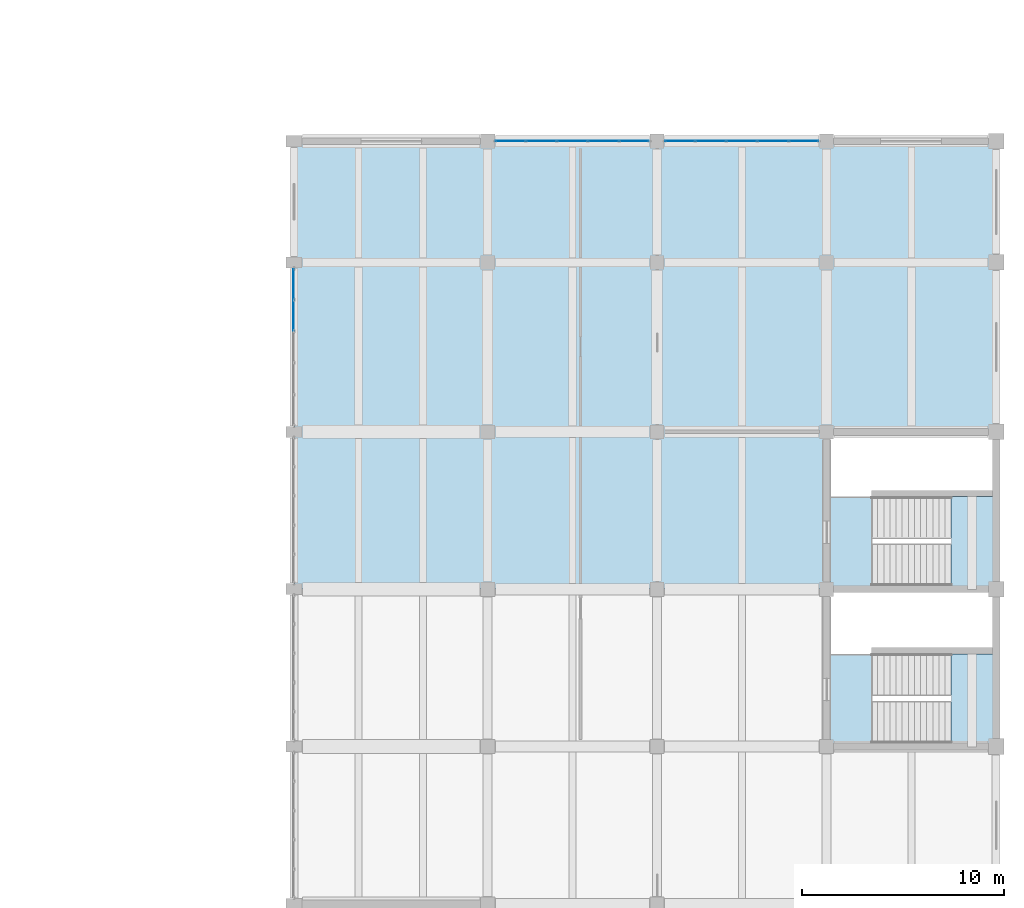
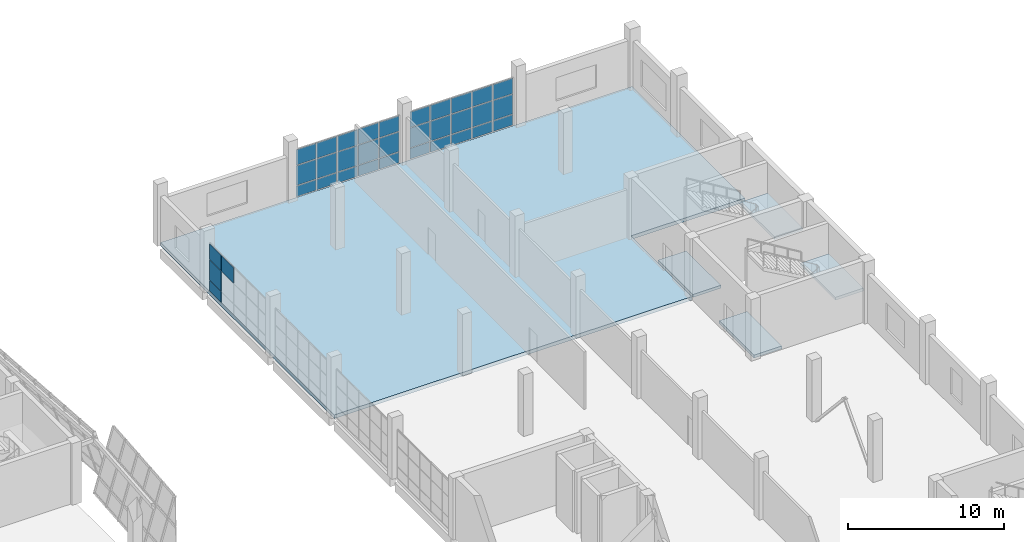
# One storey, part 74 of 91: 34 plates, 5 slabs, 5 elements without a shape of their own.
"""IFC4 building model written with IfcOpenShell, lengths in metres."""

from ifc_helpers import new_model, si_unit, direction, frame, origin, place, context, subcontext, project, spatial, polyline, outline, extrude, material, layer, layer_set, type_object, element, aggregate, save


model = new_model("IFC4")

# Units and contexts
model_context = context("Model", 3, precision=1e-05, world=origin(), true_north=direction((0.0, 1.0)))
body_context = subcontext(model_context, "Body", "Model", "MODEL_VIEW")
ifc_project = project(units=[si_unit("LENGTHUNIT", "METRE"), si_unit("AREAUNIT", "SQUARE_METRE"), si_unit("VOLUMEUNIT", "CUBIC_METRE"), si_unit("PLANEANGLEUNIT", "RADIAN"), si_unit("MASSUNIT", "GRAM", prefix="KILO")], contexts=[model_context])

# Site, building, storey
site_placement = place(None, origin())
site = spatial("IfcSite", under=ifc_project, at=site_placement, CompositionType="ELEMENT")
building_placement = place(site_placement, origin())
building = spatial("IfcBuilding", under=site, at=building_placement, Name="Pellamere Symphony Hall", CompositionType="ELEMENT")
storey_placement = place(building_placement, frame((0.0, 0.0, 5.39990234375)))
storey = spatial("IfcBuildingStorey", under=building, at=storey_placement, Name="L01", CompositionType="ELEMENT", Elevation=5.39990234375)

# Curtain wall, plates
ifc_material_1 = material(Name="Thermally Broken Anodised Aluminium 6063-T6 Curtain Wall", Category="aluminium")
curtain_wall_type = type_object("IfcCurtainWallType", Name="Curtain Wall CW-05 (Artists Wing North Studio Ribbon Curtain Wall)", PredefinedType="NOTDEFINED", material=ifc_material_1)
curtain_wall_1_placement = place(storey_placement, origin())
curtain_wall_1 = element("IfcCurtainWall", 1, at=curtain_wall_1_placement, inside=storey, type_object=curtain_wall_type, Name="Artists Wing North Studio Curtain Wall (L01 Bay 1)", PredefinedType="NOTDEFINED")
ifc_material_2 = material(Name="Triple Low-E Argon Acoustic Glazing 36mm", Category="glass")
ifc_layer_1 = layer(ifc_material_2, 0.035888671875, Name="Triple Low-E Argon Acoustic Glazing 36mm")
ifc_layer_set_1 = layer_set([ifc_layer_1], Name="Triple Low-E Argon Acoustic Glazing 36mm")
plate_type = type_object("IfcPlateType", Name="Facade Panel GL-01 36mm", PredefinedType="CURTAIN_PANEL", material=ifc_layer_set_1)
plate_1_placement = place(storey_placement, frame((148.010009765625, 99.60009765625, 0.06005859375), z_axis=(0.0, -1.0, 0.0), x_axis=(1.0, 0.0, 0.0)))
plate_1 = element("IfcPlate", 2, at=plate_1_placement, type_object=plate_type, Name="CW5-130 crystal glass panel 1.1", PredefinedType="CURTAIN_PANEL", context=body_context, shape_type="SweptSolid", body=[
    extrude(outline(polyline([(0.0, 0.0), (1.449951171875, 0.0), (1.449951171875, 0.817138671875), (0.0, 0.817138671875), (0.0, 0.0)])), origin(), (0.0, 0.0, -1.0), 0.035888671875),
])
plate_2_placement = place(storey_placement, frame((148.010009765625, 99.60009765625, 0.937255859375), z_axis=(0.0, -1.0, 0.0), x_axis=(1.0, 0.0, 0.0)))
plate_2 = element("IfcPlate", 3, at=plate_2_placement, type_object=plate_type, Name="CW5-130 crystal glass panel 1.2", PredefinedType="CURTAIN_PANEL", context=body_context, shape_type="SweptSolid", body=[
    extrude(outline(polyline([(0.0, 0.0), (1.449951171875, 0.0), (1.449951171875, 1.527587890625), (0.0, 1.527587890625), (0.0, 0.0)])), origin(), (0.0, 0.0, -1.0), 0.035888671875),
])
plate_3_placement = place(storey_placement, frame((148.010009765625, 99.60009765625, 2.52490234375), z_axis=(0.0, -1.0, 0.0), x_axis=(1.0, 0.0, 0.0)))
plate_3 = element("IfcPlate", 4, at=plate_3_placement, type_object=plate_type, Name="CW5-130 crystal glass panel 1.3", PredefinedType="CURTAIN_PANEL", context=body_context, shape_type="SweptSolid", body=[
    extrude(outline(polyline([(0.0, 0.0), (1.449951171875, 0.0), (1.449951171875, 1.1953125), (0.0, 1.1953125), (0.0, 0.0)])), origin(), (0.0, 0.0, -1.0), 0.035888671875),
])
plate_4_placement = place(storey_placement, frame((149.52001953125, 99.60009765625, 0.06005859375), z_axis=(0.0, -1.0, 0.0), x_axis=(1.0, 0.0, 0.0)))
plate_4 = element("IfcPlate", 5, at=plate_4_placement, type_object=plate_type, Name="CW5-130 crystal glass panel 2.1", PredefinedType="CURTAIN_PANEL", context=body_context, shape_type="SweptSolid", body=[
    extrude(outline(polyline([(0.0, 0.0), (1.47998046875, 0.0), (1.47998046875, 0.817138671875), (0.0, 0.817138671875), (0.0, 0.0)])), origin(), (0.0, 0.0, -1.0), 0.035888671875),
])
plate_5_placement = place(storey_placement, frame((149.52001953125, 99.60009765625, 0.937255859375), z_axis=(0.0, -1.0, 0.0), x_axis=(1.0, 0.0, 0.0)))
plate_5 = element("IfcPlate", 6, at=plate_5_placement, type_object=plate_type, Name="CW5-130 crystal glass panel 2.2", PredefinedType="CURTAIN_PANEL", context=body_context, shape_type="SweptSolid", body=[
    extrude(outline(polyline([(0.0, 0.0), (1.47998046875, 0.0), (1.47998046875, 1.527587890625), (0.0, 1.527587890625), (0.0, 0.0)])), origin(), (0.0, 0.0, -1.0), 0.035888671875),
])
plate_6_placement = place(storey_placement, frame((149.52001953125, 99.60009765625, 2.52490234375), z_axis=(0.0, -1.0, 0.0), x_axis=(1.0, 0.0, 0.0)))
plate_6 = element("IfcPlate", 7, at=plate_6_placement, type_object=plate_type, Name="CW5-130 crystal glass panel 2.3", PredefinedType="CURTAIN_PANEL", context=body_context, shape_type="SweptSolid", body=[
    extrude(outline(polyline([(0.0, 0.0), (1.47998046875, 0.0), (1.47998046875, 1.1953125), (0.0, 1.1953125), (0.0, 0.0)])), origin(), (0.0, 0.0, -1.0), 0.035888671875),
])
plate_7_placement = place(storey_placement, frame((151.06005859375, 99.60009765625, 0.06005859375), z_axis=(0.0, -1.0, 0.0), x_axis=(1.0, 0.0, 0.0)))
plate_7 = element("IfcPlate", 8, at=plate_7_placement, type_object=plate_type, Name="CW5-130 crystal glass panel 3.1", PredefinedType="CURTAIN_PANEL", context=body_context, shape_type="SweptSolid", body=[
    extrude(outline(polyline([(0.0, 0.0), (1.47998046875, 0.0), (1.47998046875, 0.817138671875), (0.0, 0.817138671875), (0.0, 0.0)])), origin(), (0.0, 0.0, -1.0), 0.035888671875),
])
plate_8_placement = place(storey_placement, frame((151.06005859375, 99.60009765625, 0.937255859375), z_axis=(0.0, -1.0, 0.0), x_axis=(1.0, 0.0, 0.0)))
plate_8 = element("IfcPlate", 9, at=plate_8_placement, type_object=plate_type, Name="CW5-130 crystal glass panel 3.2", PredefinedType="CURTAIN_PANEL", context=body_context, shape_type="SweptSolid", body=[
    extrude(outline(polyline([(0.0, 0.0), (1.47998046875, 0.0), (1.47998046875, 1.527587890625), (0.0, 1.527587890625), (0.0, 0.0)])), origin(), (0.0, 0.0, -1.0), 0.035888671875),
])
plate_9_placement = place(storey_placement, frame((151.06005859375, 99.60009765625, 2.52490234375), z_axis=(0.0, -1.0, 0.0), x_axis=(1.0, 0.0, 0.0)))
plate_9 = element("IfcPlate", 10, at=plate_9_placement, type_object=plate_type, Name="CW5-130 crystal glass panel 3.3", PredefinedType="CURTAIN_PANEL", context=body_context, shape_type="SweptSolid", body=[
    extrude(outline(polyline([(0.0, 0.0), (1.47998046875, 0.0), (1.47998046875, 1.1953125), (0.0, 1.1953125), (0.0, 0.0)])), origin(), (0.0, 0.0, -1.0), 0.035888671875),
])
plate_10_placement = place(storey_placement, frame((152.60009765625, 99.60009765625, 0.06005859375), z_axis=(0.0, -1.0, 0.0), x_axis=(1.0, 0.0, 0.0)))
plate_10 = element("IfcPlate", 11, at=plate_10_placement, type_object=plate_type, Name="CW5-130 crystal glass panel 4.1", PredefinedType="CURTAIN_PANEL", context=body_context, shape_type="SweptSolid", body=[
    extrude(outline(polyline([(0.0, 0.0), (1.47998046875, 0.0), (1.47998046875, 0.817138671875), (0.0, 0.817138671875), (0.0, 0.0)])), origin(), (0.0, 0.0, -1.0), 0.035888671875),
])
plate_11_placement = place(storey_placement, frame((152.60009765625, 99.60009765625, 0.937255859375), z_axis=(0.0, -1.0, 0.0), x_axis=(1.0, 0.0, 0.0)))
plate_11 = element("IfcPlate", 12, at=plate_11_placement, type_object=plate_type, Name="CW5-130 crystal glass panel 4.2", PredefinedType="CURTAIN_PANEL", context=body_context, shape_type="SweptSolid", body=[
    extrude(outline(polyline([(0.0, 0.0), (1.47998046875, 0.0), (1.47998046875, 1.527587890625), (0.0, 1.527587890625), (0.0, 0.0)])), origin(), (0.0, 0.0, -1.0), 0.035888671875),
])
plate_12_placement = place(storey_placement, frame((152.60009765625, 99.60009765625, 2.52490234375), z_axis=(0.0, -1.0, 0.0), x_axis=(1.0, 0.0, 0.0)))
plate_12 = element("IfcPlate", 13, at=plate_12_placement, type_object=plate_type, Name="CW5-130 crystal glass panel 4.3", PredefinedType="CURTAIN_PANEL", context=body_context, shape_type="SweptSolid", body=[
    extrude(outline(polyline([(0.0, 0.0), (1.47998046875, 0.0), (1.47998046875, 1.1953125), (0.0, 1.1953125), (0.0, 0.0)])), origin(), (0.0, 0.0, -1.0), 0.035888671875),
])
plate_13_placement = place(storey_placement, frame((154.139892578125, 99.60009765625, 0.06005859375), z_axis=(0.0, -1.0, 0.0), x_axis=(1.0, 0.0, 0.0)))
plate_13 = element("IfcPlate", 14, at=plate_13_placement, type_object=plate_type, Name="CW5-130 crystal glass panel 5.1", PredefinedType="CURTAIN_PANEL", context=body_context, shape_type="SweptSolid", body=[
    extrude(outline(polyline([(0.0, 0.0), (1.4501953125, 0.0), (1.4501953125, 0.817138671875), (0.0, 0.817138671875), (0.0, 0.0)])), origin(), (0.0, 0.0, -1.0), 0.035888671875),
])
plate_14_placement = place(storey_placement, frame((154.139892578125, 99.60009765625, 0.937255859375), z_axis=(0.0, -1.0, 0.0), x_axis=(1.0, 0.0, 0.0)))
plate_14 = element("IfcPlate", 15, at=plate_14_placement, type_object=plate_type, Name="CW5-130 crystal glass panel 5.2", PredefinedType="CURTAIN_PANEL", context=body_context, shape_type="SweptSolid", body=[
    extrude(outline(polyline([(0.0, 0.0), (1.4501953125, 0.0), (1.4501953125, 1.527587890625), (0.0, 1.527587890625), (0.0, 0.0)])), origin(), (0.0, 0.0, -1.0), 0.035888671875),
])
plate_15_placement = place(storey_placement, frame((154.139892578125, 99.60009765625, 2.52490234375), z_axis=(0.0, -1.0, 0.0), x_axis=(1.0, 0.0, 0.0)))
plate_15 = element("IfcPlate", 16, at=plate_15_placement, type_object=plate_type, Name="CW5-130 crystal glass panel 5.3", PredefinedType="CURTAIN_PANEL", context=body_context, shape_type="SweptSolid", body=[
    extrude(outline(polyline([(0.0, 0.0), (1.4501953125, 0.0), (1.4501953125, 1.1953125), (0.0, 1.1953125), (0.0, 0.0)])), origin(), (0.0, 0.0, -1.0), 0.035888671875),
])
aggregate(curtain_wall_1, [plate_1, plate_2, plate_3, plate_4, plate_5, plate_6, plate_7, plate_8, plate_9, plate_10, plate_11, plate_12, plate_13, plate_14, plate_15])

curtain_wall_2_placement = place(storey_placement, origin())
curtain_wall_2 = element("IfcCurtainWall", 17, at=curtain_wall_2_placement, inside=storey, type_object=curtain_wall_type, Name="Artists Wing North Studio Curtain Wall (L01 Bay 2)", PredefinedType="NOTDEFINED")
plate_16_placement = place(storey_placement, frame((156.409912109375, 99.60009765625, 0.06005859375), z_axis=(0.0, -1.0, 0.0), x_axis=(1.0, 0.0, 0.0)))
plate_16 = element("IfcPlate", 18, at=plate_16_placement, type_object=plate_type, Name="CW5-131 crystal glass panel 1.1", PredefinedType="CURTAIN_PANEL", context=body_context, shape_type="SweptSolid", body=[
    extrude(outline(polyline([(0.0, 0.0), (1.4501953125, 0.0), (1.4501953125, 0.817138671875), (0.0, 0.817138671875), (0.0, 0.0)])), origin(), (0.0, 0.0, -1.0), 0.035888671875),
])
plate_17_placement = place(storey_placement, frame((156.409912109375, 99.60009765625, 0.937255859375), z_axis=(0.0, -1.0, 0.0), x_axis=(1.0, 0.0, 0.0)))
plate_17 = element("IfcPlate", 19, at=plate_17_placement, type_object=plate_type, Name="CW5-131 crystal glass panel 1.2", PredefinedType="CURTAIN_PANEL", context=body_context, shape_type="SweptSolid", body=[
    extrude(outline(polyline([(0.0, 0.0), (1.4501953125, 0.0), (1.4501953125, 1.527587890625), (0.0, 1.527587890625), (0.0, 0.0)])), origin(), (0.0, 0.0, -1.0), 0.035888671875),
])
plate_18_placement = place(storey_placement, frame((156.409912109375, 99.60009765625, 2.52490234375), z_axis=(0.0, -1.0, 0.0), x_axis=(1.0, 0.0, 0.0)))
plate_18 = element("IfcPlate", 20, at=plate_18_placement, type_object=plate_type, Name="CW5-131 crystal glass panel 1.3", PredefinedType="CURTAIN_PANEL", context=body_context, shape_type="SweptSolid", body=[
    extrude(outline(polyline([(0.0, 0.0), (1.4501953125, 0.0), (1.4501953125, 1.1953125), (0.0, 1.1953125), (0.0, 0.0)])), origin(), (0.0, 0.0, -1.0), 0.035888671875),
])
plate_19_placement = place(storey_placement, frame((157.919921875, 99.60009765625, 0.06005859375), z_axis=(0.0, -1.0, 0.0), x_axis=(1.0, 0.0, 0.0)))
plate_19 = element("IfcPlate", 21, at=plate_19_placement, type_object=plate_type, Name="CW5-131 crystal glass panel 2.1", PredefinedType="CURTAIN_PANEL", context=body_context, shape_type="SweptSolid", body=[
    extrude(outline(polyline([(0.0, 0.0), (1.47998046875, 0.0), (1.47998046875, 0.817138671875), (0.0, 0.817138671875), (0.0, 0.0)])), origin(), (0.0, 0.0, -1.0), 0.035888671875),
])
plate_20_placement = place(storey_placement, frame((157.919921875, 99.60009765625, 0.937255859375), z_axis=(0.0, -1.0, 0.0), x_axis=(1.0, 0.0, 0.0)))
plate_20 = element("IfcPlate", 22, at=plate_20_placement, type_object=plate_type, Name="CW5-131 crystal glass panel 2.2", PredefinedType="CURTAIN_PANEL", context=body_context, shape_type="SweptSolid", body=[
    extrude(outline(polyline([(0.0, 0.0), (1.47998046875, 0.0), (1.47998046875, 1.527587890625), (0.0, 1.527587890625), (0.0, 0.0)])), origin(), (0.0, 0.0, -1.0), 0.035888671875),
])
plate_21_placement = place(storey_placement, frame((157.919921875, 99.60009765625, 2.52490234375), z_axis=(0.0, -1.0, 0.0), x_axis=(1.0, 0.0, 0.0)))
plate_21 = element("IfcPlate", 23, at=plate_21_placement, type_object=plate_type, Name="CW5-131 crystal glass panel 2.3", PredefinedType="CURTAIN_PANEL", context=body_context, shape_type="SweptSolid", body=[
    extrude(outline(polyline([(0.0, 0.0), (1.47998046875, 0.0), (1.47998046875, 1.1953125), (0.0, 1.1953125), (0.0, 0.0)])), origin(), (0.0, 0.0, -1.0), 0.035888671875),
])
plate_22_placement = place(storey_placement, frame((159.4599609375, 99.60009765625, 0.06005859375), z_axis=(0.0, -1.0, 0.0), x_axis=(1.0, 0.0, 0.0)))
plate_22 = element("IfcPlate", 24, at=plate_22_placement, type_object=plate_type, Name="CW5-131 crystal glass panel 3.1", PredefinedType="CURTAIN_PANEL", context=body_context, shape_type="SweptSolid", body=[
    extrude(outline(polyline([(0.0, 0.0), (1.47998046875, 0.0), (1.47998046875, 0.817138671875), (0.0, 0.817138671875), (0.0, 0.0)])), origin(), (0.0, 0.0, -1.0), 0.035888671875),
])
plate_23_placement = place(storey_placement, frame((159.4599609375, 99.60009765625, 0.937255859375), z_axis=(0.0, -1.0, 0.0), x_axis=(1.0, 0.0, 0.0)))
plate_23 = element("IfcPlate", 25, at=plate_23_placement, type_object=plate_type, Name="CW5-131 crystal glass panel 3.2", PredefinedType="CURTAIN_PANEL", context=body_context, shape_type="SweptSolid", body=[
    extrude(outline(polyline([(0.0, 0.0), (1.47998046875, 0.0), (1.47998046875, 1.527587890625), (0.0, 1.527587890625), (0.0, 0.0)])), origin(), (0.0, 0.0, -1.0), 0.035888671875),
])
plate_24_placement = place(storey_placement, frame((159.4599609375, 99.60009765625, 2.52490234375), z_axis=(0.0, -1.0, 0.0), x_axis=(1.0, 0.0, 0.0)))
plate_24 = element("IfcPlate", 26, at=plate_24_placement, type_object=plate_type, Name="CW5-131 crystal glass panel 3.3", PredefinedType="CURTAIN_PANEL", context=body_context, shape_type="SweptSolid", body=[
    extrude(outline(polyline([(0.0, 0.0), (1.47998046875, 0.0), (1.47998046875, 1.1953125), (0.0, 1.1953125), (0.0, 0.0)])), origin(), (0.0, 0.0, -1.0), 0.035888671875),
])
plate_25_placement = place(storey_placement, frame((161.0, 99.60009765625, 0.06005859375), z_axis=(0.0, -1.0, 0.0), x_axis=(1.0, 0.0, 0.0)))
plate_25 = element("IfcPlate", 27, at=plate_25_placement, type_object=plate_type, Name="CW5-131 crystal glass panel 4.1", PredefinedType="CURTAIN_PANEL", context=body_context, shape_type="SweptSolid", body=[
    extrude(outline(polyline([(0.0, 0.0), (1.47998046875, 0.0), (1.47998046875, 0.817138671875), (0.0, 0.817138671875), (0.0, 0.0)])), origin(), (0.0, 0.0, -1.0), 0.035888671875),
])
plate_26_placement = place(storey_placement, frame((161.0, 99.60009765625, 0.937255859375), z_axis=(0.0, -1.0, 0.0), x_axis=(1.0, 0.0, 0.0)))
plate_26 = element("IfcPlate", 28, at=plate_26_placement, type_object=plate_type, Name="CW5-131 crystal glass panel 4.2", PredefinedType="CURTAIN_PANEL", context=body_context, shape_type="SweptSolid", body=[
    extrude(outline(polyline([(0.0, 0.0), (1.47998046875, 0.0), (1.47998046875, 1.527587890625), (0.0, 1.527587890625), (0.0, 0.0)])), origin(), (0.0, 0.0, -1.0), 0.035888671875),
])
plate_27_placement = place(storey_placement, frame((161.0, 99.60009765625, 2.52490234375), z_axis=(0.0, -1.0, 0.0), x_axis=(1.0, 0.0, 0.0)))
plate_27 = element("IfcPlate", 29, at=plate_27_placement, type_object=plate_type, Name="CW5-131 crystal glass panel 4.3", PredefinedType="CURTAIN_PANEL", context=body_context, shape_type="SweptSolid", body=[
    extrude(outline(polyline([(0.0, 0.0), (1.47998046875, 0.0), (1.47998046875, 1.1953125), (0.0, 1.1953125), (0.0, 0.0)])), origin(), (0.0, 0.0, -1.0), 0.035888671875),
])
plate_28_placement = place(storey_placement, frame((162.5400390625, 99.60009765625, 0.06005859375), z_axis=(0.0, -1.0, 0.0), x_axis=(1.0, 0.0, 0.0)))
plate_28 = element("IfcPlate", 30, at=plate_28_placement, type_object=plate_type, Name="CW5-131 crystal glass panel 5.1", PredefinedType="CURTAIN_PANEL", context=body_context, shape_type="SweptSolid", body=[
    extrude(outline(polyline([(0.0, 0.0), (1.449951171875, 0.0), (1.449951171875, 0.817138671875), (0.0, 0.817138671875), (0.0, 0.0)])), origin(), (0.0, 0.0, -1.0), 0.035888671875),
])
plate_29_placement = place(storey_placement, frame((162.5400390625, 99.60009765625, 0.937255859375), z_axis=(0.0, -1.0, 0.0), x_axis=(1.0, 0.0, 0.0)))
plate_29 = element("IfcPlate", 31, at=plate_29_placement, type_object=plate_type, Name="CW5-131 crystal glass panel 5.2", PredefinedType="CURTAIN_PANEL", context=body_context, shape_type="SweptSolid", body=[
    extrude(outline(polyline([(0.0, 0.0), (1.449951171875, 0.0), (1.449951171875, 1.527587890625), (0.0, 1.527587890625), (0.0, 0.0)])), origin(), (0.0, 0.0, -1.0), 0.035888671875),
])
plate_30_placement = place(storey_placement, frame((162.5400390625, 99.60009765625, 2.52490234375), z_axis=(0.0, -1.0, 0.0), x_axis=(1.0, 0.0, 0.0)))
plate_30 = element("IfcPlate", 32, at=plate_30_placement, type_object=plate_type, Name="CW5-131 crystal glass panel 5.3", PredefinedType="CURTAIN_PANEL", context=body_context, shape_type="SweptSolid", body=[
    extrude(outline(polyline([(0.0, 0.0), (1.449951171875, 0.0), (1.449951171875, 1.1953125), (0.0, 1.1953125), (0.0, 0.0)])), origin(), (0.0, 0.0, -1.0), 0.035888671875),
])
aggregate(curtain_wall_2, [plate_16, plate_17, plate_18, plate_19, plate_20, plate_21, plate_22, plate_23, plate_24, plate_25, plate_26, plate_27, plate_28, plate_29, plate_30])

curtain_wall_3_placement = place(storey_placement, origin())
curtain_wall_3 = element("IfcCurtainWall", 33, at=curtain_wall_3_placement, inside=storey, type_object=curtain_wall_type, Name="Sculpture Court East Wing Curtain Wall (L01 Bay 4)", PredefinedType="NOTDEFINED")
plate_31_placement = place(storey_placement, frame((138.0, 90.215087890625, 2.5380859375), z_axis=(1.0, 0.0, 0.0), x_axis=(0.0, 1.0, 0.0)))
plate_31 = element("IfcPlate", 34, at=plate_31_placement, type_object=plate_type, Name="CW5-135 crystal glass panel 4.3", PredefinedType="CURTAIN_PANEL", context=body_context, shape_type="SweptSolid", body=[
    extrude(outline(polyline([(0.0, 0.0), (1.510009765625, 0.0), (1.510009765625, 1.201904296875), (0.0, 1.201904296875), (0.0, 0.0)])), origin(), (0.0, 0.0, -1.0), 0.035888671875),
])
plate_32_placement = place(storey_placement, frame((138.0, 91.784912109375, 0.06005859375), z_axis=(1.0, 0.0, 0.0), x_axis=(0.0, 1.0, 0.0)))
plate_32 = element("IfcPlate", 35, at=plate_32_placement, type_object=plate_type, Name="CW5-135 crystal glass panel 5.1", PredefinedType="CURTAIN_PANEL", context=body_context, shape_type="SweptSolid", body=[
    extrude(outline(polyline([(0.0, 0.0), (1.47998046875, 0.0), (1.47998046875, 0.822021484375), (0.0, 0.822021484375), (0.0, 0.0)])), origin(), (0.0, 0.0, -1.0), 0.035888671875),
])
plate_33_placement = place(storey_placement, frame((138.0, 91.784912109375, 0.942138671875), z_axis=(1.0, 0.0, 0.0), x_axis=(0.0, 1.0, 0.0)))
plate_33 = element("IfcPlate", 36, at=plate_33_placement, type_object=plate_type, Name="CW5-135 crystal glass panel 5.2", PredefinedType="CURTAIN_PANEL", context=body_context, shape_type="SweptSolid", body=[
    extrude(outline(polyline([(0.0, 0.0), (1.47998046875, 0.0), (1.47998046875, 1.535888671875), (0.0, 1.535888671875), (0.0, 0.0)])), origin(), (0.0, 0.0, -1.0), 0.035888671875),
])
plate_34_placement = place(storey_placement, frame((138.0, 91.784912109375, 2.5380859375), z_axis=(1.0, 0.0, 0.0), x_axis=(0.0, 1.0, 0.0)))
plate_34 = element("IfcPlate", 37, at=plate_34_placement, type_object=plate_type, Name="CW5-135 crystal glass panel 5.3", PredefinedType="CURTAIN_PANEL", context=body_context, shape_type="SweptSolid", body=[
    extrude(outline(polyline([(0.0, 0.0), (1.47998046875, 0.0), (1.47998046875, 1.201904296875), (0.0, 1.201904296875), (0.0, 0.0)])), origin(), (0.0, 0.0, -1.0), 0.035888671875),
])
aggregate(curtain_wall_3, [plate_31, plate_32, plate_33, plate_34])

# Stair, slabs
ifc_material_3 = material(Name="Concrete 40 MPa", Category="concrete")
stair_type = type_object("IfcStairType", Name="Stair ST-B W2050", PredefinedType="HALF_TURN_STAIR", material=ifc_material_3)
stair_1_placement = place(storey_placement, origin())
stair_1 = element("IfcStair", 38, at=stair_1_placement, inside=storey, type_object=stair_type, Name="Exit Stair ST05-L01 (L01 to L02)", PredefinedType="HALF_TURN_STAIR")
ifc_layer_2 = layer(ifc_material_3, 0.219970703125, Name="Concrete 40 MPa")
ifc_layer_set_2 = layer_set([ifc_layer_2], Name="Concrete 40 MPa")
slab_type_1 = type_object("IfcSlabType", Name="Stair Landing SL-01 220mm", PredefinedType="LANDING", material=ifc_layer_set_2)
slab_1_placement = place(storey_placement, frame((0.0, 0.0, -0.219970703125)))
slab_1 = element("IfcSlab", 39, at=slab_1_placement, type_object=slab_type_1, Name="Stair ST05-L01 Bottom Landing (L01)", PredefinedType="LANDING", context=body_context, shape_type="SweptSolid", body=[
    extrude(outline(polyline([(164.56005859375, 69.760009765625), (166.625, 69.760009765625), (166.625, 74.199951171875), (164.56005859375, 74.199951171875), (164.56005859375, 69.760009765625)])), origin(), (0.0, 0.0, 1.0), 0.219970703125),
])
slab_2_placement = place(storey_placement, frame((0.0, 0.0, 2.18017578125)))
slab_2 = element("IfcSlab", 40, at=slab_2_placement, type_object=slab_type_1, Name="Stair ST05-L01 Half Landing (L01)", PredefinedType="LANDING", context=body_context, shape_type="SweptSolid", body=[
    extrude(outline(polyline([(170.574951171875, 69.760009765625), (172.639892578125, 69.760009765625), (172.639892578125, 74.199951171875), (170.574951171875, 74.199951171875), (170.574951171875, 69.760009765625)])), origin(), (0.0, 0.0, 1.0), 0.219970703125),
])
aggregate(stair_1, [slab_1, slab_2])

stair_2_placement = place(storey_placement, origin())
stair_2 = element("IfcStair", 41, at=stair_2_placement, inside=storey, type_object=stair_type, Name="Exit Stair ST14-L01 (L01 to L02)", PredefinedType="HALF_TURN_STAIR")
slab_3_placement = place(storey_placement, frame((0.0, 0.0, -0.219970703125)))
slab_3 = element("IfcSlab", 42, at=slab_3_placement, type_object=slab_type_1, Name="Stair ST14-L01 Bottom Landing (L01)", PredefinedType="LANDING", context=body_context, shape_type="SweptSolid", body=[
    extrude(outline(polyline([(164.56005859375, 77.56005859375), (166.625, 77.56005859375), (166.625, 82.0), (164.56005859375, 82.0), (164.56005859375, 77.56005859375)])), origin(), (0.0, 0.0, 1.0), 0.219970703125),
])
slab_4_placement = place(storey_placement, frame((0.0, 0.0, 2.18017578125)))
slab_4 = element("IfcSlab", 43, at=slab_4_placement, type_object=slab_type_1, Name="Stair ST14-L01 Half Landing (L01)", PredefinedType="LANDING", context=body_context, shape_type="SweptSolid", body=[
    extrude(outline(polyline([(170.574951171875, 77.56005859375), (172.639892578125, 77.56005859375), (172.639892578125, 82.0), (170.574951171875, 82.0), (170.574951171875, 77.56005859375)])), origin(), (0.0, 0.0, 1.0), 0.219970703125),
])
aggregate(stair_2, [slab_3, slab_4])

# Slab
ifc_layer_3 = layer(ifc_material_3, 0.280029296875, Name="Concrete 40 MPa")
ifc_layer_set_3 = layer_set([ifc_layer_3], Name="Concrete 40 MPa")
slab_type_2 = type_object("IfcSlabType", Name="Structural Slab FS-03 280mm", PredefinedType="FLOOR", material=ifc_layer_set_3)
slab_5_placement = place(storey_placement, frame((0.0, 0.0, -0.27978515625)))
element("IfcSlab", 44, at=slab_5_placement, inside=storey, type_object=slab_type_2, Name="Floor Slab L01-V5C-1", PredefinedType="FLOOR", context=body_context, shape_type="SweptSolid", body=[
    extrude(outline(polyline([(138.0, 77.39990234375), (138.0, 99.60009765625), (172.800048828125, 99.60009765625), (172.800048828125, 85.199951171875), (164.39990234375, 85.199951171875), (164.39990234375, 77.39990234375), (138.0, 77.39990234375)])), origin(), (0.0, 0.0, 1.0), 0.27978515625),
])

save(model, "model.ifc")
